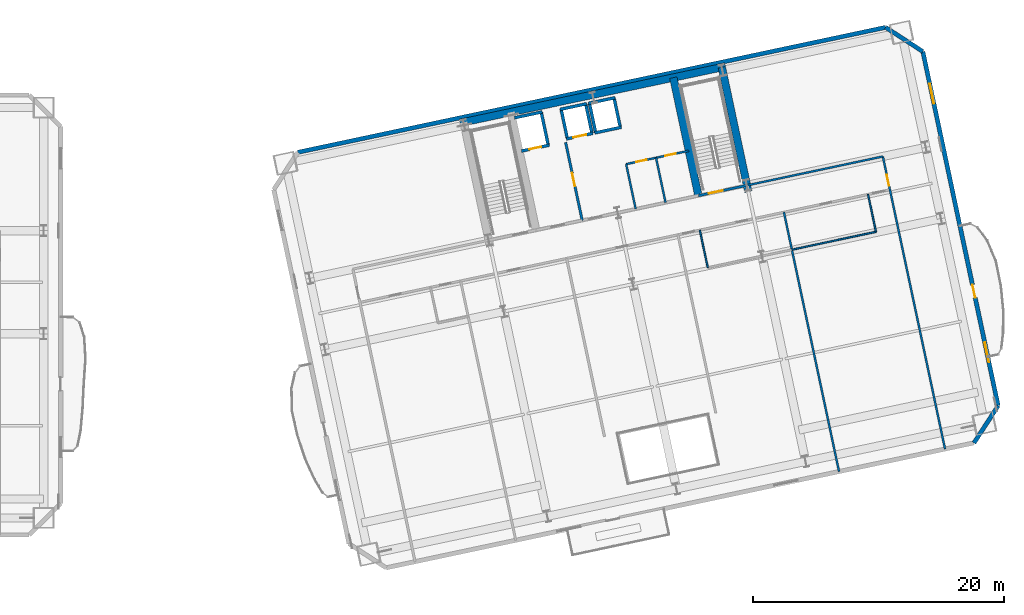
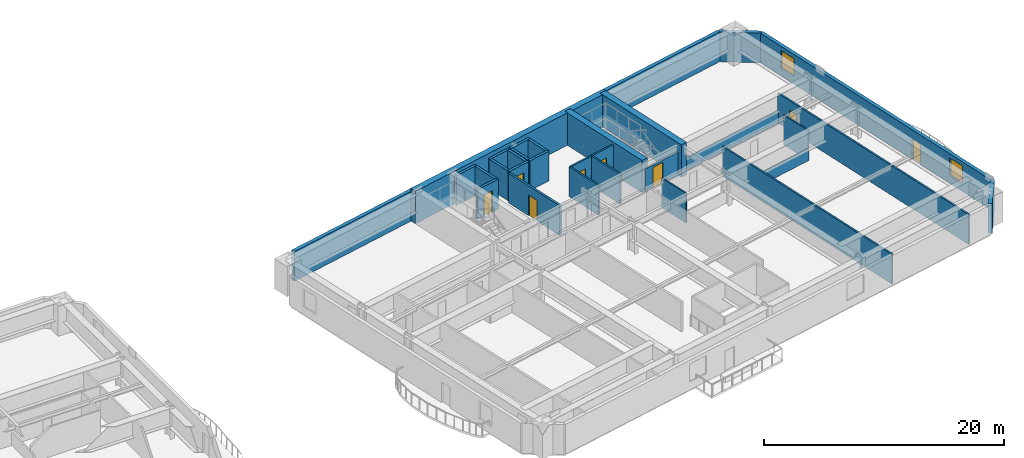
# One storey, part 10 of 18: 29 walls, 8 doors, 2 windows, 10 openings.
"""IFC4 building model written with IfcOpenShell, lengths in metres."""

from ifc_helpers import new_model, si_unit, direction, frame, frame_2d, origin, place, context, subcontext, project, spatial, rectangle, extrude, material, layer, layer_set, type_object, element, fill, save


model = new_model("IFC4")

# Units and contexts
model_context = context("Model", 3, precision=1e-05, world=origin(), true_north=direction((0.0, 1.0)))
body_context = subcontext(model_context, "Body", "Model", "MODEL_VIEW")
ifc_project = project(units=[si_unit("LENGTHUNIT", "METRE"), si_unit("AREAUNIT", "SQUARE_METRE"), si_unit("VOLUMEUNIT", "CUBIC_METRE"), si_unit("PLANEANGLEUNIT", "RADIAN"), si_unit("MASSUNIT", "GRAM", prefix="KILO")], contexts=[model_context])

# Site, building, storey
site_placement = place(None, origin())
site = spatial("IfcSite", under=ifc_project, at=site_placement, CompositionType="ELEMENT")
building_placement = place(site_placement, origin())
building = spatial("IfcBuilding", under=site, at=building_placement, Name="Haevon Station Towers", CompositionType="ELEMENT")
storey_placement = place(building_placement, frame((0.0, 0.0, 47.10009765625)))
storey = spatial("IfcBuildingStorey", under=building, at=storey_placement, Name="L11", CompositionType="ELEMENT", Elevation=47.10009765625)

# Wall, opening, door
ifc_material_1 = material(Name="Gypsum board on steel stud", Category="steel")
ifc_layer_1 = layer(ifc_material_1, 0.199951171875)
ifc_layer_set_1 = layer_set([ifc_layer_1], Name="Gypsum board on steel stud")
wall_type_1 = type_object("IfcWallType", Name="WL-COR200", PredefinedType="PARTITIONING", material=ifc_layer_set_1)
wall_1_placement = place(storey_placement, frame((115.4296875, 40.9873046875, 0.0), z_axis=(0.0, 0.0, 1.0), x_axis=(0.978146596989, 0.207916413008, 0.0)))
wall_1 = element("IfcWall", 1, at=wall_1_placement, inside=storey, type_object=wall_type_1, Name="WL-ST-ST4-L11", PredefinedType="PARTITIONING", context=body_context, shape_type="SweptSolid", body=[
    extrude(rectangle(XDim=3.9501953125, YDim=0.199951171875, at=frame_2d((1.97509765625, 0.0))), origin(), (0.0, 0.0, 1.0), 2.329833984375),
])
opening_1_placement = place(wall_1_placement, frame((0.85009765625, 0.0, 0.0)))
opening_1 = element("IfcOpeningElement", 2, at=opening_1_placement, cuts=wall_1, Name="Opening DR-ST-ST4-L11", PredefinedType="OPENING", context=body_context, shape_type="SweptSolid", body=[
    extrude(rectangle(XDim=1.1201171875, YDim=2.10009765625, at=frame_2d((0.56005859375, 1.050048828125))), frame((0.0, 0.10986328125, 0.0), z_axis=(0.0, -1.0, 0.0), x_axis=(1.0, 0.0, 0.0)), (0.0, 0.0, 1.0), 0.219970703125),
])
ifc_material_2 = material(Name="Engineered oak timber", Category="wood")
door_type_1 = type_object("IfcDoorType", Name="DR-ST-1120", OperationType="NOTDEFINED", PredefinedType="DOOR", material=ifc_material_2)
door_1_placement = place(opening_1_placement, origin())
door_1 = element("IfcDoor", 3, at=door_1_placement, inside=storey, type_object=door_type_1, Name="L11 Escape Stair ST4 Fire Door", OperationType="SINGLE_SWING_RIGHT", OverallHeight=2.10009765625, OverallWidth=1.1201171875, PredefinedType="DOOR", context=body_context, shape_type="SweptSolid", body=[
    extrude(rectangle(XDim=1.1201171875, YDim=2.10009765625, at=frame_2d((0.56005859375, 1.050048828125))), frame((0.0, 0.02490234375, 0.0), z_axis=(0.0, -1.0, 0.0), x_axis=(1.0, 0.0, 0.0)), (0.0, 0.0, 1.0), 0.050048828125),
])
fill(opening_1, door_1)

wall_2_placement = place(storey_placement, frame((106.186279296875, 39.0224609375, 0.0), z_axis=(0.0, 0.0, 1.0), x_axis=(-0.207916691923, 0.978146537703, 0.0)))
wall_2 = element("IfcWall", 4, at=wall_2_placement, inside=storey, type_object=wall_type_1, Name="WL-T2FFL-L11-E", PredefinedType="PARTITIONING", context=body_context, shape_type="SweptSolid", body=[
    extrude(rectangle(XDim=6.35009765625, YDim=0.199951171875, at=frame_2d((3.175048828125, 0.0))), origin(), (0.0, 0.0, 1.0), 3.02978515625),
])
opening_2_placement = place(wall_2_placement, frame((2.800048828125, 0.0, 0.0)))
opening_2 = element("IfcOpeningElement", 5, at=opening_2_placement, cuts=wall_2, Name="Opening DR-T2FFL-L11-E", PredefinedType="OPENING", context=body_context, shape_type="SweptSolid", body=[
    extrude(rectangle(XDim=1.050048828125, YDim=2.10009765625, at=frame_2d((0.52490234375, 1.050048828125))), frame((0.0, 0.10986328125, 0.0), z_axis=(0.0, -1.0, 0.0), x_axis=(1.0, 0.0, 0.0)), (0.0, 0.0, 1.0), 0.219970703125),
])
door_type_2 = type_object("IfcDoorType", Name="DR-FD60-1050", OperationType="NOTDEFINED", PredefinedType="DOOR", material=ifc_material_2)
door_2_placement = place(opening_2_placement, origin())
door_2 = element("IfcDoor", 6, at=door_2_placement, inside=storey, type_object=door_type_2, Name="L11 Tower 2 Firefighting Lift Lobby Door E", OperationType="SINGLE_SWING_LEFT", OverallHeight=2.10009765625, OverallWidth=1.050048828125, PredefinedType="DOOR", context=body_context, shape_type="SweptSolid", body=[
    extrude(rectangle(XDim=1.050048828125, YDim=2.10009765625, at=frame_2d((0.52490234375, 1.050048828125))), frame((0.0, 0.02490234375, 0.0), z_axis=(0.0, -1.0, 0.0), x_axis=(1.0, 0.0, 0.0)), (0.0, 0.0, 1.0), 0.050048828125),
])
fill(opening_2, door_2)

# Walls
ifc_material_3 = material(Name="Concrete C60/75", Category="concrete")
ifc_layer_2 = layer(ifc_material_3, 0.60009765625)
ifc_layer_set_2 = layer_set([ifc_layer_2], Name="Concrete C60/75")
wall_type_2 = type_object("IfcWallType", Name="WL-CR600", PredefinedType="SHEAR", material=ifc_layer_set_2)
wall_3_placement = place(storey_placement, frame((96.462890625, 46.770263671875, 0.0), z_axis=(0.0, 0.0, 1.0), x_axis=(0.978147272959, 0.207913232873, 0.0)))
element("IfcWall", 7, at=wall_3_placement, inside=storey, type_object=wall_type_2, Name="WL-T2CR-L11-N", PredefinedType="SHEAR", context=body_context, shape_type="SweptSolid", body=[
    extrude(rectangle(XDim=21.60009765625, YDim=0.60009765625, at=frame_2d((10.800048828125, 0.0))), origin(), (0.0, 0.0, 1.0), 3.2998046875),
])
wall_4_placement = place(storey_placement, frame((119.401611328125, 41.2998046875, 0.0), z_axis=(0.0, 0.0, 1.0), x_axis=(-0.207904342798, 0.978149162575, 0.0)))
element("IfcWall", 8, at=wall_4_placement, inside=storey, type_object=wall_type_2, Name="WL-T2CR-L11-E", PredefinedType="SHEAR", context=body_context, shape_type="SweptSolid", body=[
    extrude(rectangle(XDim=10.1201171875, YDim=0.60009765625, at=frame_2d((5.06005859375, 0.0))), origin(), (0.0, 0.0, 1.0), 3.2998046875),
])
wall_5_placement = place(storey_placement, frame((115.4296875, 40.9873046875, 0.0), z_axis=(0.0, 0.0, 1.0), x_axis=(-0.207903162969, 0.978149413345, 0.0)))
element("IfcWall", 9, at=wall_5_placement, inside=storey, type_object=wall_type_2, Name="WL-T2CR-L11-M2", PredefinedType="SHEAR", context=body_context, shape_type="SweptSolid", body=[
    extrude(rectangle(XDim=9.599853515625, YDim=0.60009765625, at=frame_2d((4.7998046875, 0.0))), origin(), (0.0, 0.0, 1.0), 3.2998046875),
])
ifc_material_4 = material(Name="Precast concrete C45/55", Category="concrete")
ifc_layer_3 = layer(ifc_material_4, 0.340087890625)
ifc_layer_set_3 = layer_set([ifc_layer_3], Name="Precast concrete C45/55")
wall_type_3 = type_object("IfcWallType", Name="WL-EXT-PIER340", PredefinedType="SOLIDWALL", material=ifc_layer_set_3)
wall_6_placement = place(storey_placement, frame((83.566162109375, 44.43798828125, 0.0), z_axis=(0.0, 0.0, 1.0), x_axis=(0.97814833523, 0.207908235256, 0.0)))
element("IfcWall", 10, at=wall_6_placement, inside=storey, type_object=wall_type_3, Name="WL-T2-L11-N", PredefinedType="SOLIDWALL", context=body_context, shape_type="SweptSolid", body=[
    extrude(rectangle(XDim=47.7998046875, YDim=0.340087890625, at=frame_2d((23.89990234375, 0.0))), origin(), (0.0, 0.0, 1.0), 3.02978515625),
])
wall_7_placement = place(storey_placement, frame((130.321533203125, 54.3759765625, 0.0), z_axis=(0.0, 0.0, 1.0), x_axis=(0.838672309694, -0.544636352948, 0.0)))
element("IfcWall", 11, at=wall_7_placement, inside=storey, type_object=wall_type_3, Name="WL-T2-L11-NEC", PredefinedType="SOLIDWALL", context=body_context, shape_type="SweptSolid", body=[
    extrude(rectangle(XDim=3.535400390625, YDim=0.340087890625, at=frame_2d((1.767578125, 0.0))), origin(), (0.0, 0.0, 1.0), 3.02978515625),
])

# Wall, openings, door, windows
wall_8_placement = place(storey_placement, frame((133.28662109375, 52.450439453125, 0.0), z_axis=(0.0, 0.0, 1.0), x_axis=(0.207909549752, -0.978148055829, 0.0)))
wall_8 = element("IfcWall", 12, at=wall_8_placement, inside=storey, type_object=wall_type_3, Name="WL-T2-L11-E", PredefinedType="SOLIDWALL", context=body_context, shape_type="SweptSolid", body=[
    extrude(rectangle(XDim=28.800048828125, YDim=0.340087890625, at=frame_2d((14.39990234375, 0.0))), origin(), (0.0, 0.0, 1.0), 3.02978515625),
])
opening_3_placement = place(wall_8_placement, frame((18.97509765625, 0.0, 0.0)))
opening_3 = element("IfcOpeningElement", 13, at=opening_3_placement, cuts=wall_8, Name="Opening DR-T2-SCAL-L11-E", PredefinedType="OPENING", context=body_context, shape_type="SweptSolid", body=[
    extrude(rectangle(XDim=1.050048828125, YDim=2.10009765625, at=frame_2d((0.52490234375, 1.050048828125))), frame((0.0, 0.179931640625, 0.0), z_axis=(0.0, -1.0, 0.0), x_axis=(1.0, 0.0, 0.0)), (0.0, 0.0, 1.0), 0.360107421875),
])
opening_4_placement = place(wall_8_placement, frame((2.628662109375, 0.0, 0.800048828125)))
opening_4 = element("IfcOpeningElement", 14, at=opening_4_placement, cuts=wall_8, Name="Opening WN-END160", PredefinedType="OPENING", context=body_context, shape_type="SweptSolid", body=[
    extrude(rectangle(XDim=1.60009765625, YDim=1.800048828125, at=frame_2d((0.800048828125, 0.89990234375))), frame((0.0, 0.179931640625, 0.0), z_axis=(0.0, -1.0, 0.0), x_axis=(1.0, 0.0, 0.0)), (0.0, 0.0, 1.0), 0.360107421875),
])
opening_5_placement = place(wall_8_placement, frame((23.656982421875, 0.0, 0.800048828125)))
opening_5 = element("IfcOpeningElement", 15, at=opening_5_placement, cuts=wall_8, Name="Opening WN-END160", PredefinedType="OPENING", context=body_context, shape_type="SweptSolid", body=[
    extrude(rectangle(XDim=1.60009765625, YDim=1.800048828125, at=frame_2d((0.800048828125, 0.89990234375))), frame((0.0, 0.179931640625, 0.0), z_axis=(0.0, -1.0, 0.0), x_axis=(1.0, 0.0, 0.0)), (0.0, 0.0, 1.0), 0.360107421875),
])
ifc_material_5 = material(Name="Thermally broken anodised aluminium and laminated safety glass", Category="aluminium")
door_type_3 = type_object("IfcDoorType", Name="DR-BALC-1050", OperationType="NOTDEFINED", PredefinedType="DOOR", material=ifc_material_5)
door_3_placement = place(opening_3_placement, origin())
door_3 = element("IfcDoor", 16, at=door_3_placement, inside=storey, type_object=door_type_3, Name="Tower 2 L11 East Scalloped Balcony Door", OperationType="SINGLE_SWING_RIGHT", OverallHeight=2.10009765625, OverallWidth=1.050048828125, PredefinedType="DOOR", context=body_context, shape_type="SweptSolid", body=[
    extrude(rectangle(XDim=1.050048828125, YDim=2.10009765625, at=frame_2d((0.52490234375, 1.050048828125))), frame((0.0, 0.02490234375, 0.0), z_axis=(0.0, -1.0, 0.0), x_axis=(1.0, 0.0, 0.0)), (0.0, 0.0, 1.0), 0.050048828125),
])
fill(opening_3, door_3)
ifc_material_6 = material(Name="Low-E triple glazing in thermally broken aluminium", Category="aluminium")
window_type = type_object("IfcWindowType", Name="WN-END160", PartitioningType="SINGLE_PANEL", PredefinedType="WINDOW", material=ifc_material_6)
window_1_placement = place(opening_4_placement, origin())
window_1 = element("IfcWindow", 17, at=window_1_placement, inside=storey, type_object=window_type, Name="WN-T2-L11-E01", OverallHeight=1.800048828125, OverallWidth=1.60009765625, PartitioningType="SINGLE_PANEL", PredefinedType="WINDOW", context=body_context, shape_type="SweptSolid", body=[
    extrude(rectangle(XDim=1.60009765625, YDim=1.800048828125, at=frame_2d((0.800048828125, 0.89990234375))), frame((0.0, 0.030029296875, 0.0), z_axis=(0.0, -1.0, 0.0), x_axis=(1.0, 0.0, 0.0)), (0.0, 0.0, 1.0), 0.06005859375),
])
fill(opening_4, window_1)
window_2_placement = place(opening_5_placement, origin())
window_2 = element("IfcWindow", 18, at=window_2_placement, inside=storey, type_object=window_type, Name="WN-T2-L11-E02", OverallHeight=1.800048828125, OverallWidth=1.60009765625, PartitioningType="SINGLE_PANEL", PredefinedType="WINDOW", context=body_context, shape_type="SweptSolid", body=[
    extrude(rectangle(XDim=1.60009765625, YDim=1.800048828125, at=frame_2d((0.800048828125, 0.89990234375))), frame((0.0, 0.030029296875, 0.0), z_axis=(0.0, -1.0, 0.0), x_axis=(1.0, 0.0, 0.0)), (0.0, 0.0, 1.0), 0.06005859375),
])
fill(opening_5, window_2)

# Walls
wall_9_placement = place(storey_placement, frame((139.2744140625, 24.27978515625, 0.0), z_axis=(0.0, 0.0, 1.0), x_axis=(-0.544636352948, -0.838672309694, 0.0)))
element("IfcWall", 19, at=wall_9_placement, inside=storey, type_object=wall_type_3, Name="WL-T2-L11-SEC", PredefinedType="SOLIDWALL", context=body_context, shape_type="SweptSolid", body=[
    extrude(rectangle(XDim=3.535400390625, YDim=0.340087890625, at=frame_2d((1.767578125, 0.0))), origin(), (0.0, 0.0, 1.0), 3.02978515625),
])
ifc_layer_4 = layer(ifc_material_1, 0.125)
ifc_layer_set_4 = layer_set([ifc_layer_4], Name="Gypsum board on steel stud")
wall_type_4 = type_object("IfcWallType", Name="WL-PRT125", PredefinedType="PARTITIONING", material=ifc_layer_set_4)
wall_10_placement = place(storey_placement, frame((116.17529296875, 35.267333984375, 0.0), z_axis=(0.0, 0.0, 1.0), x_axis=(-0.207877902534, 0.978154782045, 0.0)))
element("IfcWall", 20, at=wall_10_placement, inside=storey, type_object=wall_type_4, Name="WL-T2PT-L11-16", PredefinedType="PARTITIONING", context=body_context, shape_type="SweptSolid", body=[
    extrude(rectangle(XDim=3.050048828125, YDim=0.125, at=frame_2d((1.52490234375, 0.0))), origin(), (0.0, 0.0, 1.0), 3.02978515625),
])
wall_11_placement = place(storey_placement, frame((122.86572265625, 36.689453125, 0.0), z_axis=(0.0, 0.0, 1.0), x_axis=(0.978148417856, 0.207907846525, 0.0)))
element("IfcWall", 21, at=wall_11_placement, inside=storey, type_object=wall_type_4, Name="WL-T2PT-L11-18", PredefinedType="PARTITIONING", context=body_context, shape_type="SweptSolid", body=[
    extrude(rectangle(XDim=6.840087890625, YDim=0.125, at=frame_2d((3.419921875, 0.0))), origin(), (0.0, 0.0, 1.0), 1.22998046875),
])
wall_12_placement = place(storey_placement, frame((129.556396484375, 38.111572265625, 0.0), z_axis=(0.0, 0.0, 1.0), x_axis=(-0.207954487003, 0.978138503145, 0.0)))
element("IfcWall", 22, at=wall_12_placement, inside=storey, type_object=wall_type_4, Name="WL-T2PT-L11-19", PredefinedType="PARTITIONING", context=body_context, shape_type="SweptSolid", body=[
    extrude(rectangle(XDim=3.050048828125, YDim=0.125, at=frame_2d((1.52490234375, 0.0))), origin(), (0.0, 0.0, 1.0), 3.02978515625),
])
ifc_layer_5 = layer(ifc_material_1, 0.159912109375)
ifc_layer_set_5 = layer_set([ifc_layer_5], Name="Gypsum board on steel stud")
wall_type_5 = type_object("IfcWallType", Name="WL-PRT160", PredefinedType="PARTITIONING", material=ifc_layer_set_5)
for number, where, z_axis, x_axis, name in (
    (23, (110.441162109375, 39.927001953125, 0.0), (0.0, 0.0, 1.0), (-0.207884354546, 0.978153410838, 0.0), "WL-T2CW-L11-01"),
    (24, (112.818115234375, 40.43212890625, 0.0), (0.0, 0.0, 1.0), (-0.207884354546, 0.978153410838, 0.0), "WL-T2CW-L11-02"),
):
    element("IfcWall", number, at=place(storey_placement, frame(where, z_axis=z_axis, x_axis=x_axis)), inside=storey, type_object=wall_type_5, Name=name, PredefinedType="PARTITIONING", context=body_context, shape_type="SweptSolid", body=[
        extrude(rectangle(XDim=3.650146484375, YDim=0.159912109375, at=frame_2d((1.8251953125, 0.0))), origin(), (0.0, 0.0, 1.0), 3.02978515625),
    ])

# Wall, openings, doors
wall_13_placement = place(storey_placement, frame((109.682373046875, 43.497314453125, 0.0), z_axis=(0.0, 0.0, 1.0), x_axis=(0.978149238447, 0.207903985835, 0.0)))
wall_13 = element("IfcWall", 25, at=wall_13_placement, inside=storey, type_object=wall_type_5, Name="WL-T2CW-L11-03", PredefinedType="PARTITIONING", context=body_context, shape_type="SweptSolid", body=[
    extrude(rectangle(XDim=5.099853515625, YDim=0.159912109375, at=frame_2d((2.5498046875, 0.0))), origin(), (0.0, 0.0, 1.0), 3.02978515625),
])
opening_6_placement = place(wall_13_placement, frame((0.81005859375, 0.0, 0.0)))
opening_6 = element("IfcOpeningElement", 26, at=opening_6_placement, cuts=wall_13, Name="Opening DR-WL-T2CW-L11-03-1", PredefinedType="OPENING", context=body_context, shape_type="SweptSolid", body=[
    extrude(rectangle(XDim=0.85009765625, YDim=2.050048828125, at=frame_2d((0.425048828125, 1.02490234375))), frame((0.0, 0.08984375, 0.0), z_axis=(0.0, -1.0, 0.0), x_axis=(1.0, 0.0, 0.0)), (0.0, 0.0, 1.0), 0.179931640625),
])
opening_7_placement = place(wall_13_placement, frame((3.179931640625, 0.0, 0.0)))
opening_7 = element("IfcOpeningElement", 27, at=opening_7_placement, cuts=wall_13, Name="Opening DR-WL-T2CW-L11-03-2", PredefinedType="OPENING", context=body_context, shape_type="SweptSolid", body=[
    extrude(rectangle(XDim=0.85009765625, YDim=2.050048828125, at=frame_2d((0.425048828125, 1.02490234375))), frame((0.0, 0.08984375, 0.0), z_axis=(0.0, -1.0, 0.0), x_axis=(1.0, 0.0, 0.0)), (0.0, 0.0, 1.0), 0.179931640625),
])
door_type_4 = type_object("IfcDoorType", Name="DR-FD30-850", OperationType="NOTDEFINED", PredefinedType="DOOR", material=ifc_material_2)
door_4_placement = place(opening_6_placement, origin())
door_4 = element("IfcDoor", 28, at=door_4_placement, inside=storey, type_object=door_type_4, Name="L11 Tower 2 Core Room Door 3-1", OperationType="SINGLE_SWING_RIGHT", OverallHeight=2.050048828125, OverallWidth=0.85009765625, PredefinedType="DOOR", context=body_context, shape_type="SweptSolid", body=[
    extrude(rectangle(XDim=0.85009765625, YDim=2.050048828125, at=frame_2d((0.425048828125, 1.02490234375))), frame((0.0, 0.02490234375, 0.0), z_axis=(0.0, -1.0, 0.0), x_axis=(1.0, 0.0, 0.0)), (0.0, 0.0, 1.0), 0.050048828125),
])
fill(opening_6, door_4)
door_5_placement = place(opening_7_placement, origin())
door_5 = element("IfcDoor", 29, at=door_5_placement, inside=storey, type_object=door_type_4, Name="L11 Tower 2 Core Room Door 3-2", OperationType="SINGLE_SWING_LEFT", OverallHeight=2.050048828125, OverallWidth=0.85009765625, PredefinedType="DOOR", context=body_context, shape_type="SweptSolid", body=[
    extrude(rectangle(XDim=0.85009765625, YDim=2.050048828125, at=frame_2d((0.425048828125, 1.02490234375))), frame((0.0, 0.02490234375, 0.0), z_axis=(0.0, -1.0, 0.0), x_axis=(1.0, 0.0, 0.0)), (0.0, 0.0, 1.0), 0.050048828125),
])
fill(opening_7, door_5)

# Wall
wall_14_placement = place(storey_placement, frame((119.29345703125, 41.80859375, 0.0), z_axis=(0.0, 0.0, 1.0), x_axis=(0.978148967098, 0.207905262477, 0.0)))
element("IfcWall", 30, at=wall_14_placement, inside=storey, type_object=wall_type_5, Name="WL-T2PT-L11-02", PredefinedType="PARTITIONING", context=body_context, shape_type="SweptSolid", body=[
    extrude(rectangle(XDim=11.050048828125, YDim=0.159912109375, at=frame_2d((5.52490234375, 0.0))), origin(), (0.0, 0.0, 1.0), 1.22998046875),
])

# Wall, opening, door
wall_15_placement = place(storey_placement, frame((135.05029296875, 20.826171875, 0.0), z_axis=(0.0, 0.0, 1.0), x_axis=(-0.207910528946, 0.978147847697, 0.0)))
wall_15 = element("IfcWall", 31, at=wall_15_placement, inside=storey, type_object=wall_type_5, Name="WL-T2PT-L11-04", PredefinedType="PARTITIONING", context=body_context, shape_type="SweptSolid", body=[
    extrude(rectangle(XDim=23.7998046875, YDim=0.159912109375, at=frame_2d((11.89990234375, 0.0))), origin(), (0.0, 0.0, 1.0), 3.02978515625),
])
opening_8_placement = place(wall_15_placement, frame((21.419921875, 0.0, 0.0)))
opening_8 = element("IfcOpeningElement", 32, at=opening_8_placement, cuts=wall_15, Name="Opening DR-WL-T2PT-L11-04-01", PredefinedType="OPENING", context=body_context, shape_type="SweptSolid", body=[
    extrude(rectangle(XDim=0.89990234375, YDim=2.050048828125, at=frame_2d((0.449951171875, 1.02490234375))), frame((0.0, 0.08984375, 0.0), z_axis=(0.0, -1.0, 0.0), x_axis=(1.0, 0.0, 0.0)), (0.0, 0.0, 1.0), 0.179931640625),
])
door_type_5 = type_object("IfcDoorType", Name="DR-INT-900", OperationType="NOTDEFINED", PredefinedType="DOOR", material=ifc_material_2)
door_6_placement = place(opening_8_placement, origin())
door_6 = element("IfcDoor", 33, at=door_6_placement, inside=storey, type_object=door_type_5, Name="L11 Tower 2 Room Door 4-1", OperationType="SINGLE_SWING_LEFT", OverallHeight=2.050048828125, OverallWidth=0.89990234375, PredefinedType="DOOR", context=body_context, shape_type="SweptSolid", body=[
    extrude(rectangle(XDim=0.89990234375, YDim=2.050048828125, at=frame_2d((0.449951171875, 1.02490234375))), frame((0.0, 0.02490234375, 0.0), z_axis=(0.0, -1.0, 0.0), x_axis=(1.0, 0.0, 0.0)), (0.0, 0.0, 1.0), 0.050048828125),
])
fill(opening_8, door_6)

# Wall
wall_16_placement = place(storey_placement, frame((126.61865234375, 19.033935546875, 0.0), z_axis=(0.0, 0.0, 1.0), x_axis=(-0.207912863691, 0.978147351431, 0.0)))
element("IfcWall", 34, at=wall_16_placement, inside=storey, type_object=wall_type_5, Name="WL-T2PT-L11-17", PredefinedType="PARTITIONING", context=body_context, shape_type="SweptSolid", body=[
    extrude(rectangle(XDim=21.10009765625, YDim=0.159912109375, at=frame_2d((10.550048828125, 0.0))), origin(), (0.0, 0.0, 1.0), 3.02978515625),
])

# Wall, opening, door
ifc_material_7 = material(Name="Concrete C40/50", Category="concrete")
ifc_layer_6 = layer(ifc_material_7, 0.239990234375)
ifc_layer_set_6 = layer_set([ifc_layer_6], Name="Concrete C40/50")
wall_type_6 = type_object("IfcWallType", Name="WL-SHF240", PredefinedType="PARTITIONING", material=ifc_layer_set_6)
wall_17_placement = place(storey_placement, frame((101.353759765625, 44.538330078125, 0.0), z_axis=(0.0, 0.0, 1.0), x_axis=(0.978141002414, 0.207942731049, 0.0)))
wall_17 = element("IfcWall", 35, at=wall_17_placement, inside=storey, type_object=wall_type_6, Name="WL-SHF-FL2-L11", PredefinedType="PARTITIONING", context=body_context, shape_type="SweptSolid", body=[
    extrude(rectangle(XDim=2.260009765625, YDim=0.239990234375, at=frame_2d((1.1298828125, 0.0))), origin(), (0.0, 0.0, 1.0), 3.02978515625),
])
opening_9_placement = place(wall_17_placement, frame((0.655029296875, 0.0, 0.0)))
opening_9 = element("IfcOpeningElement", 36, at=opening_9_placement, cuts=wall_17, Name="Opening LD-FL2-L11", PredefinedType="OPENING", context=body_context, shape_type="SweptSolid", body=[
    extrude(rectangle(XDim=0.949951171875, YDim=2.14990234375, at=frame_2d((0.47509765625, 1.074951171875))), frame((0.0, 0.1298828125, 0.0), z_axis=(0.0, -1.0, 0.0), x_axis=(1.0, 0.0, 0.0)), (0.0, 0.0, 1.0), 0.260009765625),
])
ifc_material_8 = material(Name="Stainless steel and rated core", Category="steel")
door_type_6 = type_object("IfcDoorType", Name="LD-FL950", OperationType="SLIDING_TO_LEFT", PredefinedType="DOOR", material=ifc_material_8)
door_7_placement = place(opening_9_placement, origin())
door_7 = element("IfcDoor", 37, at=door_7_placement, inside=storey, type_object=door_type_6, Name="L11 Lift FL2 Sliding Landing Door", OperationType="SLIDING_TO_LEFT", OverallHeight=2.14990234375, OverallWidth=0.949951171875, PredefinedType="DOOR", context=body_context, shape_type="SweptSolid", body=[
    extrude(rectangle(XDim=0.949951171875, YDim=2.14990234375, at=frame_2d((0.47509765625, 1.074951171875))), frame((0.0, 0.02490234375, 0.0), z_axis=(0.0, -1.0, 0.0), x_axis=(1.0, 0.0, 0.0)), (0.0, 0.0, 1.0), 0.050048828125),
])
fill(opening_9, door_7)

# Walls
wall_18_placement = place(storey_placement, frame((100.79248046875, 47.179443359375, 0.0), z_axis=(0.0, 0.0, 1.0), x_axis=(0.978162968872, 0.207839376268, 0.0)))
element("IfcWall", 38, at=wall_18_placement, inside=storey, type_object=wall_type_6, Name="WL-SHF-FL2-L11-N", PredefinedType="PARTITIONING", context=body_context, shape_type="SweptSolid", body=[
    extrude(rectangle(XDim=2.260009765625, YDim=0.239990234375, at=frame_2d((1.1298828125, 0.0))), origin(), (0.0, 0.0, 1.0), 3.02978515625),
])
wall_19_placement = place(storey_placement, frame((103.486328125, 44.99169921875, 0.0), z_axis=(0.0, 0.0, 1.0), x_axis=(-0.207978798957, 0.978133334052, 0.0)))
element("IfcWall", 39, at=wall_19_placement, inside=storey, type_object=wall_type_6, Name="WL-SHF-FL2-L11-E", PredefinedType="PARTITIONING", context=body_context, shape_type="SweptSolid", body=[
    extrude(rectangle(XDim=2.699951171875, YDim=0.239990234375, at=frame_2d((1.35009765625, 0.0))), origin(), (0.0, 0.0, 1.0), 3.02978515625),
])

# Wall, opening, door
wall_20_placement = place(storey_placement, frame((104.931396484375, 45.503173828125, 0.0), z_axis=(0.0, 0.0, 1.0), x_axis=(0.97813528961, 0.207969601673, 0.0)))
wall_20 = element("IfcWall", 40, at=wall_20_placement, inside=storey, type_object=wall_type_6, Name="WL-SHF-PL7-L11", PredefinedType="PARTITIONING", context=body_context, shape_type="SweptSolid", body=[
    extrude(rectangle(XDim=2.159912109375, YDim=0.239990234375, at=frame_2d((1.080078125, 0.0))), origin(), (0.0, 0.0, 1.0), 3.02978515625),
])
opening_10_placement = place(wall_20_placement, frame((0.554931640625, 0.0, 0.0)))
opening_10 = element("IfcOpeningElement", 41, at=opening_10_placement, cuts=wall_20, Name="Opening LD-PL7-L11", PredefinedType="OPENING", context=body_context, shape_type="SweptSolid", body=[
    extrude(rectangle(XDim=1.050048828125, YDim=2.14990234375, at=frame_2d((0.52490234375, 1.074951171875))), frame((0.0, 0.1298828125, 0.0), z_axis=(0.0, -1.0, 0.0), x_axis=(1.0, 0.0, 0.0)), (0.0, 0.0, 1.0), 0.260009765625),
])
door_type_7 = type_object("IfcDoorType", Name="LD-PL1050", OperationType="SLIDING_TO_LEFT", PredefinedType="DOOR", material=ifc_material_8)
door_8_placement = place(opening_10_placement, origin())
door_8 = element("IfcDoor", 42, at=door_8_placement, inside=storey, type_object=door_type_7, Name="L11 Lift PL7 Sliding Landing Door", OperationType="SLIDING_TO_LEFT", OverallHeight=2.14990234375, OverallWidth=1.050048828125, PredefinedType="DOOR", context=body_context, shape_type="SweptSolid", body=[
    extrude(rectangle(XDim=1.050048828125, YDim=2.14990234375, at=frame_2d((0.52490234375, 1.074951171875))), frame((0.0, 0.02490234375, 0.0), z_axis=(0.0, -1.0, 0.0), x_axis=(1.0, 0.0, 0.0)), (0.0, 0.0, 1.0), 0.050048828125),
])
fill(opening_10, door_8)

# Walls
wall_21_placement = place(storey_placement, frame((104.432373046875, 47.850830078125, 0.0), z_axis=(0.0, 0.0, 1.0), x_axis=(0.978158276388, 0.207861459473, 0.0)))
element("IfcWall", 43, at=wall_21_placement, inside=storey, type_object=wall_type_6, Name="WL-SHF-PL7-L11-N", PredefinedType="PARTITIONING", context=body_context, shape_type="SweptSolid", body=[
    extrude(rectangle(XDim=2.159912109375, YDim=0.239990234375, at=frame_2d((1.080078125, 0.0))), origin(), (0.0, 0.0, 1.0), 3.02978515625),
])
wall_22_placement = place(storey_placement, frame((105.009765625, 45.519775390625, 0.0), z_axis=(0.0, 0.0, 1.0), x_axis=(-0.207917150959, 0.978146440129, 0.0)))
element("IfcWall", 44, at=wall_22_placement, inside=storey, type_object=wall_type_6, Name="WL-SHF-PL7-L11-W", PredefinedType="PARTITIONING", context=body_context, shape_type="SweptSolid", body=[
    extrude(rectangle(XDim=2.400146484375, YDim=0.239990234375, at=frame_2d((1.2001953125, 0.0))), origin(), (0.0, 0.0, 1.0), 3.02978515625),
])
wall_23_placement = place(storey_placement, frame((106.966064453125, 45.935791015625, 0.0), z_axis=(0.0, 0.0, 1.0), x_axis=(-0.207937840262, 0.978142042133, 0.0)))
element("IfcWall", 45, at=wall_23_placement, inside=storey, type_object=wall_type_6, Name="WL-SHF-PL7-L11-E", PredefinedType="PARTITIONING", context=body_context, shape_type="SweptSolid", body=[
    extrude(rectangle(XDim=2.39990234375, YDim=0.239990234375, at=frame_2d((1.199951171875, 0.0))), origin(), (0.0, 0.0, 1.0), 3.02978515625),
])
for number, where, z_axis, x_axis, name in (
    (46, (107.18115234375, 45.9814453125, 0.0), (0.0, 0.0, 1.0), (0.97813528961, 0.207969601673, 0.0), "WL-SHF-PL8-L11"),
    (47, (106.68212890625, 48.3291015625, 0.0), (0.0, 0.0, 1.0), (0.978158276388, 0.207861459473, 0.0), "WL-SHF-PL8-L11-N"),
):
    element("IfcWall", number, at=place(storey_placement, frame(where, z_axis=z_axis, x_axis=x_axis)), inside=storey, type_object=wall_type_6, Name=name, PredefinedType="PARTITIONING", context=body_context, shape_type="SweptSolid", body=[
        extrude(rectangle(XDim=2.159912109375, YDim=0.239990234375, at=frame_2d((1.080078125, 0.0))), origin(), (0.0, 0.0, 1.0), 3.02978515625),
    ])
for number, where, z_axis, x_axis, name in (
    (48, (107.259521484375, 45.998046875, 0.0), (0.0, 0.0, 1.0), (-0.207917150959, 0.978146440129, 0.0), "WL-SHF-PL8-L11-W"),
    (49, (109.2158203125, 46.413818359375, 0.0), (0.0, 0.0, 1.0), (-0.207917150959, 0.978146440129, 0.0), "WL-SHF-PL8-L11-E"),
):
    element("IfcWall", number, at=place(storey_placement, frame(where, z_axis=z_axis, x_axis=x_axis)), inside=storey, type_object=wall_type_6, Name=name, PredefinedType="PARTITIONING", context=body_context, shape_type="SweptSolid", body=[
        extrude(rectangle(XDim=2.400146484375, YDim=0.239990234375, at=frame_2d((1.2001953125, 0.0))), origin(), (0.0, 0.0, 1.0), 3.02978515625),
    ])

save(model, "model.ifc")
